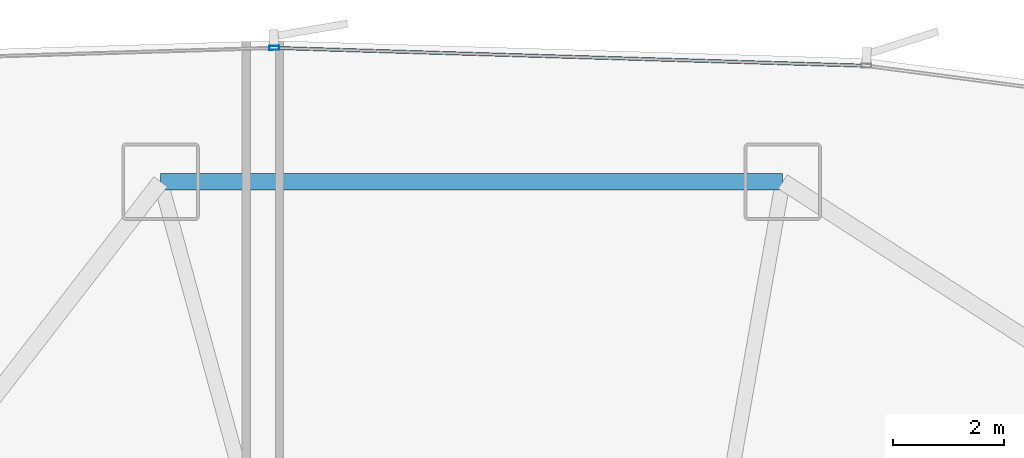
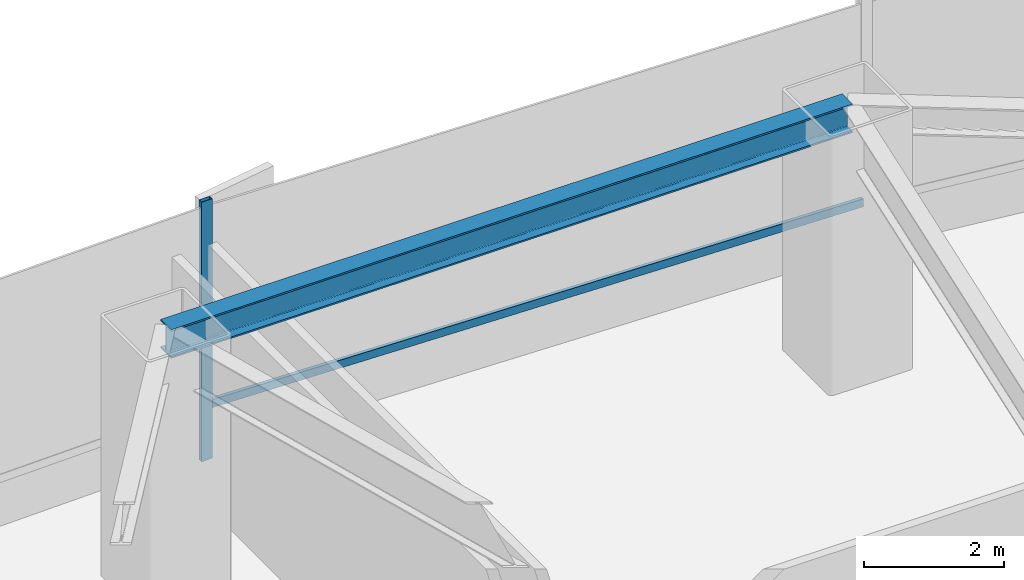
# One storey, part 14 of 33: 2 members, 1 beam, 1 element without a shape of its own.
"""IFC4 building model written with IfcOpenShell, lengths in metres."""

from ifc_helpers import new_model, si_unit, direction, frame, origin, origin_2d, place, context, subcontext, project, spatial, hollow_rectangle, i_section, extrude, source, transform, mapped, material, layer, layer_set, material_profile, profile_set, type_object, element, aggregate, save


model = new_model("IFC4")

# Units and contexts
model_context = context("Model", 3, precision=1e-05, world=origin(), true_north=direction((0.0, 1.0)))
body_context = subcontext(model_context, "Body", "Model", "MODEL_VIEW")
ifc_project = project(units=[si_unit("LENGTHUNIT", "METRE"), si_unit("AREAUNIT", "SQUARE_METRE"), si_unit("VOLUMEUNIT", "CUBIC_METRE"), si_unit("PLANEANGLEUNIT", "RADIAN"), si_unit("MASSUNIT", "GRAM", prefix="KILO"), si_unit("THERMODYNAMICTEMPERATUREUNIT", "KELVIN")], contexts=[model_context])

# Site, building, storey
site_placement = place(None, origin())
site = spatial("IfcSite", under=ifc_project, at=site_placement, CompositionType="ELEMENT")
building_placement = place(site_placement, origin())
building = spatial("IfcBuilding", under=site, at=building_placement, Name="Kethvar Cultural Tower", CompositionType="ELEMENT")
storey_placement = place(building_placement, frame((0.0, 0.0, 10.0)))
storey = spatial("IfcBuildingStorey", under=building, at=storey_placement, Name="L02", CompositionType="ELEMENT", Elevation=10.0)

# Beam
ifc_material_1 = material(Name="Steel S355J2", Category="steel")
ifc_material_profile_1 = material_profile(ifc_material_1, i_section(OverallWidth=0.300048828125, OverallDepth=0.5, WebThickness=0.014404296875, FlangeThickness=0.028076171875, FilletRadius=0.027099609375, at=origin_2d()), Name="Steel S355J2 — HEB500")
ifc_profile_set_1 = profile_set([ifc_material_profile_1], Name="Steel S355J2 — HEB500")
beam_type = type_object("IfcBeamType", Name="BM-SP500", PredefinedType="SPANDREL", material=ifc_profile_set_1)
shared_shape_1 = source(origin(), body_context, "Body", "SweptSolid", [
    extrude(i_section(OverallWidth=0.300048828125, OverallDepth=0.5, WebThickness=0.014404296875, FlangeThickness=0.028076171875, FilletRadius=0.027099609375, at=origin_2d()), origin(), (0.0, 0.0, 1.0), 11.25),
])
beam_placement = place(storey_placement, frame((51.199951171875, 52.85009765625, 4.278076171875), z_axis=(-1.0, 0.0, 0.0), x_axis=(0.0, -1.0, 0.0)))
element("IfcBeam", 1, at=beam_placement, inside=storey, type_object=beam_type, Name="L02 Podium Ring Beam 04", PredefinedType="SPANDREL", context=body_context, shape_type="MappedRepresentation", body=[
    mapped(shared_shape_1, transform((0.0, 0.0, 0.0), scale=1.0)),
])

# Curtain wall, members
ifc_material_2 = material(Name="Aluminium 6063-T6", Category="aluminium")
ifc_layer = layer(ifc_material_2, 0.179931640625, Name="Aluminium 6063-T6", Category="aluminium")
ifc_layer_set = layer_set([ifc_layer], Name="Aluminium 6063-T6 (180 mm)")
curtain_wall_type = type_object("IfcCurtainWallType", Name="CW-SYS-01-POD", PredefinedType="NOTDEFINED", material=ifc_layer_set)
curtain_wall_placement = place(storey_placement, origin())
curtain_wall = element("IfcCurtainWall", 2, at=curtain_wall_placement, inside=storey, type_object=curtain_wall_type, Name="L02 Curtain Wall Run 02", PredefinedType="NOTDEFINED")
ifc_material_profile_2 = material_profile(ifc_material_2, hollow_rectangle(XDim=0.06005859375, YDim=0.139892578125, WallThickness=0.0048828125, at=origin_2d()), Name="Aluminium 6063-T6 — RHS140x60x5")
ifc_profile_set_2 = profile_set([ifc_material_profile_2], Name="Aluminium 6063-T6 — RHS140x60x5")
member_type_1 = type_object("IfcMemberType", Name="CW-SYS-01-POD-TRN", PredefinedType="USERDEFINED", material=ifc_profile_set_2)
shared_shape_2 = source(origin(), body_context, "Body", "SweptSolid", [
    extrude(hollow_rectangle(XDim=0.06005859375, YDim=0.139892578125, WallThickness=0.0048828125, at=origin_2d()), origin(), (0.0, 0.0, 1.0), 10.61279296875),
])
member_1_placement = place(storey_placement, frame((52.657958984375, 54.948486328125, 0.949951171875), z_axis=(-0.999545810513, 0.030135903608, 0.0), x_axis=(-0.030135903608, -0.999545810513, 0.0)))
member_1 = element("IfcMember", 3, at=member_1_placement, type_object=member_type_1, Name="CW-L02-R02 Transom 3", ObjectType="TRANSOM", PredefinedType="USERDEFINED", context=body_context, shape_type="MappedRepresentation", body=[
    mapped(shared_shape_2, transform((0.0, 0.0, 0.0), scale=1.0)),
])
ifc_material_profile_3 = material_profile(ifc_material_2, hollow_rectangle(XDim=0.074951171875, YDim=0.179931640625, WallThickness=0.006103515625, at=origin_2d()), Name="Aluminium 6063-T6 — RHS180x75x6")
ifc_profile_set_3 = profile_set([ifc_material_profile_3], Name="Aluminium 6063-T6 — RHS180x75x6")
member_type_2 = type_object("IfcMemberType", Name="CW-SYS-01-POD-MUL", PredefinedType="MULLION", material=ifc_profile_set_3)
shared_shape_3 = source(origin(), body_context, "Body", "SweptSolid", [
    extrude(hollow_rectangle(XDim=0.074951171875, YDim=0.179931640625, WallThickness=0.006103515625, at=origin_2d()), origin(), (0.0, 0.0, 1.0), 4.530029296875),
])
member_2_placement = place(storey_placement, frame((42.00390625, 55.27001953125, 0.0), z_axis=(0.0, 0.0, 1.0), x_axis=(0.030137272261, -0.999545769248, 0.0)))
member_2 = element("IfcMember", 4, at=member_2_placement, type_object=member_type_2, Name="CW-L02-R02 Mullion 4", PredefinedType="MULLION", context=body_context, shape_type="MappedRepresentation", body=[
    mapped(shared_shape_3, transform((0.0, 0.0, 0.0), scale=1.0)),
])
aggregate(curtain_wall, [member_2, member_1])

save(model, "model.ifc")
